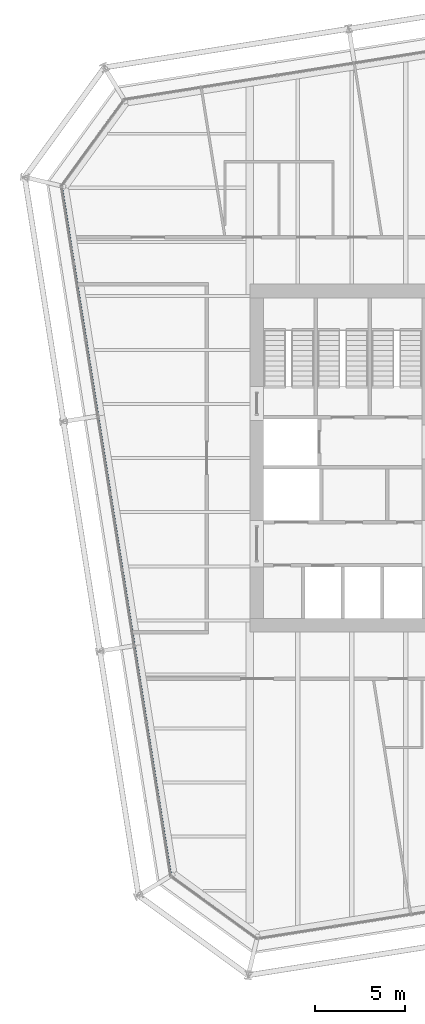
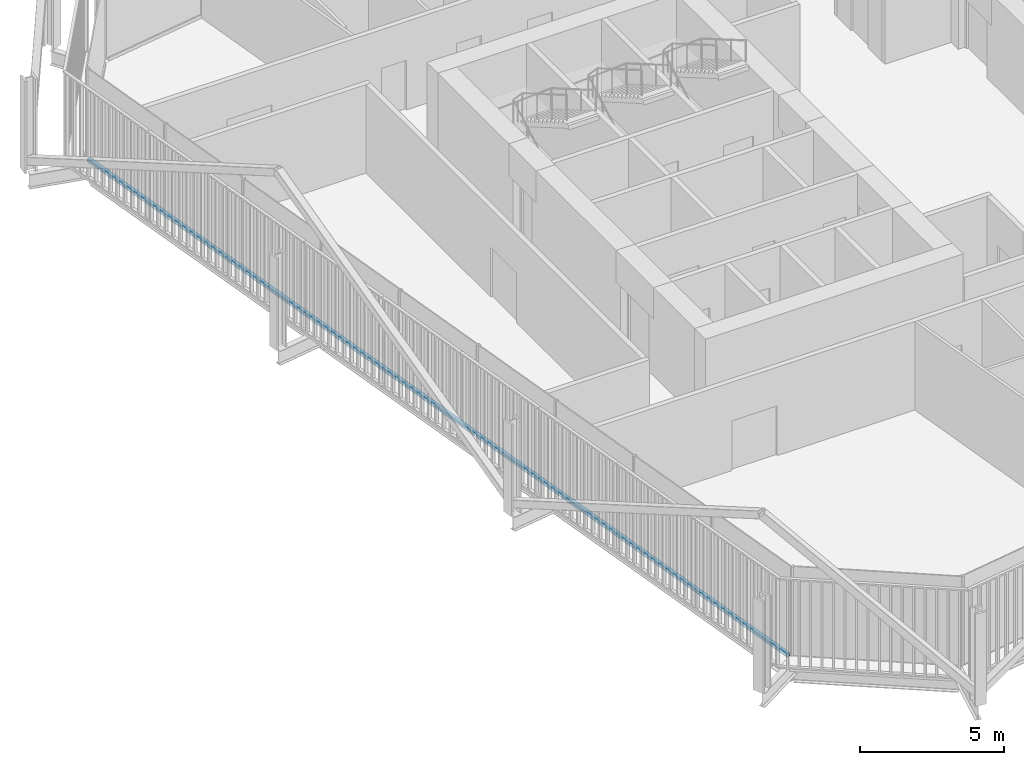
# One storey, part 5 of 22: 1 member, 1 element without a shape of its own.
"""IFC4 building model written with IfcOpenShell, lengths in metres."""

from ifc_helpers import new_model, si_unit, direction, frame, origin, origin_2d, place, context, subcontext, project, spatial, rectangle, extrude, material, layer, layer_set, material_profile, profile_set, type_object, element, aggregate, save


model = new_model("IFC4")

# Units and contexts
model_context = context("Model", 3, precision=1e-05, world=origin(), true_north=direction((0.0, 1.0)))
body_context = subcontext(model_context, "Body", "Model", "MODEL_VIEW")
ifc_project = project(units=[si_unit("LENGTHUNIT", "METRE"), si_unit("AREAUNIT", "SQUARE_METRE"), si_unit("VOLUMEUNIT", "CUBIC_METRE"), si_unit("PLANEANGLEUNIT", "RADIAN"), si_unit("MASSUNIT", "GRAM", prefix="KILO")], contexts=[model_context])

# Site, building, storey
site_placement = place(None, origin())
site = spatial("IfcSite", under=ifc_project, at=site_placement, CompositionType="ELEMENT")
building_placement = place(site_placement, origin())
building = spatial("IfcBuilding", under=site, at=building_placement, Name="Millrace Tower", CompositionType="ELEMENT")
storey_placement = place(building_placement, frame((0.0, 0.0, 187.800048828125)))
storey = spatial("IfcBuildingStorey", under=building, at=storey_placement, Name="L42", CompositionType="ELEMENT", Elevation=187.800048828125)

# Curtain wall, member
ifc_material_1 = material(Name="Aluminium and glass", Category="aluminium")
ifc_layer = layer(ifc_material_1, 0.14990234375)
ifc_layer_set = layer_set([ifc_layer], Name="Aluminium and glass")
curtain_wall_type = type_object("IfcCurtainWallType", Name="CW-1 office vision curtain wall", PredefinedType="NOTDEFINED", material=ifc_layer_set)
curtain_wall_placement = place(storey_placement, origin())
curtain_wall = element("IfcCurtainWall", 1, at=curtain_wall_placement, inside=storey, type_object=curtain_wall_type, Name="Curtain wall C-F08 L42", PredefinedType="NOTDEFINED")
ifc_material_2 = material(Name="Aluminium", Category="aluminium")
ifc_material_profile = material_profile(ifc_material_2, rectangle(XDim=0.14990234375, YDim=0.139892578125, at=origin_2d()))
ifc_profile_set = profile_set([ifc_material_profile], Name="Aluminium")
member_type = type_object("IfcMemberType", Name="CW-1 office vision curtain wall transom", PredefinedType="USERDEFINED", material=ifc_profile_set)
member_placement = place(storey_placement, frame((-25.09619140625, 14.97509765625, 0.070068359375), z_axis=(0.156433422663, -0.987688505691, 0.0), x_axis=(0.987688505691, 0.156433422663, 0.0)))
member = element("IfcMember", 2, at=member_placement, type_object=member_type, Name="CW1 transom C-F08.1", ObjectType="TRANSOM", PredefinedType="USERDEFINED", context=body_context, shape_type="SweptSolid", body=[
    extrude(rectangle(XDim=0.14990234375, YDim=0.139892578125, at=origin_2d()), origin(), (0.0, 0.0, 1.0), 38.5),
])
aggregate(curtain_wall, [member])

save(model, "model.ifc")
